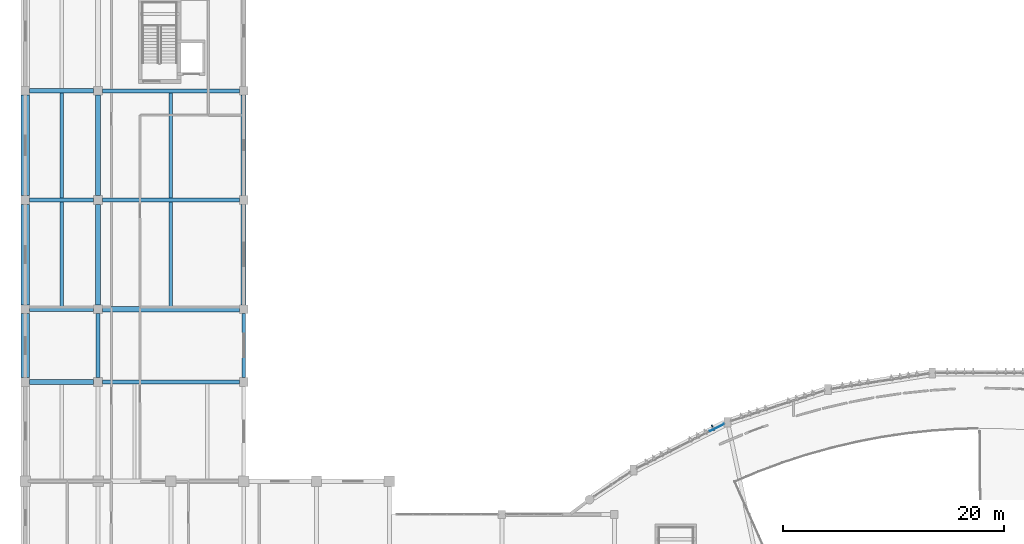
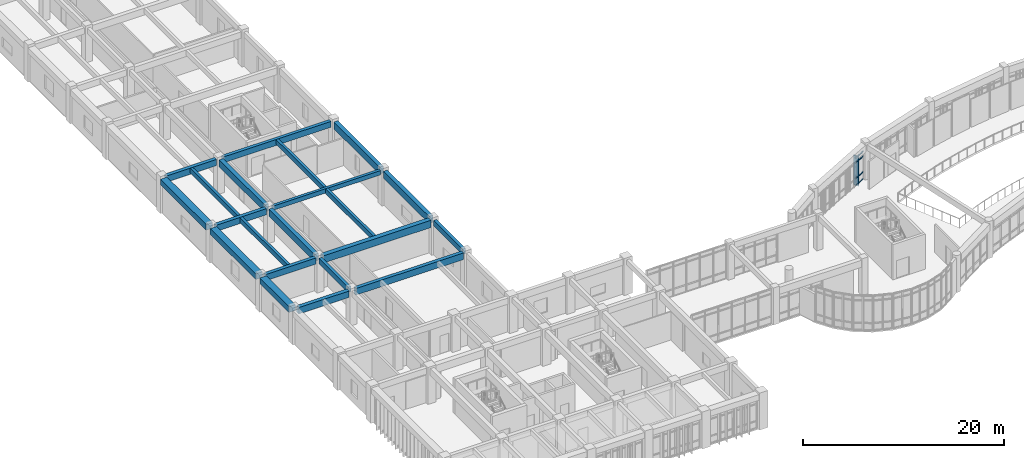
# One storey, part 11 of 57: 21 beams, 5 members, 1 element without a shape of its own.
"""IFC4 building model written with IfcOpenShell, lengths in metres."""

from ifc_helpers import new_model, si_unit, direction, frame, origin, origin_2d, place, context, subcontext, project, spatial, rectangle, extrude, material, layer, layer_set, material_profile, profile_set, type_object, element, aggregate, save


model = new_model("IFC4")

# Units and contexts
model_context = context("Model", 3, precision=1e-05, world=origin(), true_north=direction((0.0, 1.0)))
body_context = subcontext(model_context, "Body", "Model", "MODEL_VIEW")
ifc_project = project(units=[si_unit("LENGTHUNIT", "METRE"), si_unit("AREAUNIT", "SQUARE_METRE"), si_unit("VOLUMEUNIT", "CUBIC_METRE"), si_unit("PLANEANGLEUNIT", "RADIAN"), si_unit("MASSUNIT", "GRAM", prefix="KILO")], contexts=[model_context])

# Site, building, storey
site_placement = place(None, origin())
site = spatial("IfcSite", under=ifc_project, at=site_placement, CompositionType="ELEMENT")
building_placement = place(site_placement, origin())
building = spatial("IfcBuilding", under=site, at=building_placement, Name="Miralva Faculty of Natural Sciences", CompositionType="ELEMENT")
storey_placement = place(building_placement, frame((0.0, 0.0, 15.0)))
storey = spatial("IfcBuildingStorey", under=building, at=storey_placement, Name="L03", CompositionType="ELEMENT", Elevation=15.0)

# Beams
ifc_material_1 = material(Name="Concrete C40/50", Category="concrete")
ifc_material_profile_1 = material_profile(ifc_material_1, rectangle(XDim=0.449951171875, YDim=0.85009765625, at=origin_2d()), Name="RC 450x850")
ifc_profile_set_1 = profile_set([ifc_material_profile_1], Name="Concrete C40/50")
beam_type_1 = type_object("IfcBeamType", Name="BM-B01", PredefinedType="BEAM", material=ifc_profile_set_1)
for number, where, z_axis, x_axis, name in (
    (1, (9.60009765625, 46.0, 3.7548828125), (0.0, 1.0, 0.0), (-1.0, 0.0, 0.0), "Girder NS L03-80"),
    (2, (9.60009765625, 55.89990234375, 3.7548828125), (0.0, 1.0, 0.0), (-1.0, 0.0, 0.0), "Girder NS L03-81"),
    (3, (22.800048828125, 46.0, 3.7548828125), (0.0, 1.0, 0.0), (-1.0, 0.0, 0.0), "Girder NS L03-96"),
    (4, (22.800048828125, 55.89990234375, 3.7548828125), (0.0, 1.0, 0.0), (-1.0, 0.0, 0.0), "Girder NS L03-97"),
):
    element("IfcBeam", number, at=place(storey_placement, frame(where, z_axis=z_axis, x_axis=x_axis)), inside=storey, type_object=beam_type_1, Name=name, PredefinedType="BEAM", context=body_context, shape_type="SweptSolid", body=[
        extrude(rectangle(XDim=0.449951171875, YDim=0.85009765625, at=origin_2d()), origin(), (0.0, 0.0, 1.0), 9.10009765625),
    ])
ifc_material_profile_2 = material_profile(ifc_material_1, rectangle(XDim=0.39990234375, YDim=0.800048828125, at=origin_2d()), Name="RC 400x800")
ifc_profile_set_2 = profile_set([ifc_material_profile_2], Name="Concrete C40/50")
beam_type_2 = type_object("IfcBeamType", Name="BM-B02", PredefinedType="BEAM", material=ifc_profile_set_2)
beam_1_placement = place(storey_placement, frame((10.0, 39.0, 3.780029296875), z_axis=(1.0, 0.0, 0.0), x_axis=(0.0, 1.0, 0.0)))
element("IfcBeam", 5, at=beam_1_placement, inside=storey, type_object=beam_type_2, Name="Girder EW L03-32", PredefinedType="BEAM", context=body_context, shape_type="SweptSolid", body=[
    extrude(rectangle(XDim=0.39990234375, YDim=0.800048828125, at=origin_2d()), origin(), (0.0, 0.0, 1.0), 12.39990234375),
])
ifc_material_profile_3 = material_profile(ifc_material_1, rectangle(XDim=0.39990234375, YDim=0.75, at=origin_2d()), Name="RC 400x750")
ifc_profile_set_3 = profile_set([ifc_material_profile_3], Name="Concrete C40/50")
beam_type_3 = type_object("IfcBeamType", Name="BM-B03", PredefinedType="BEAM", material=ifc_profile_set_3)
for number, where, z_axis, x_axis, name in (
    (6, (3.39990234375, 45.60009765625, 3.804931640625), (1.0, 0.0, 0.0), (0.0, 1.0, 0.0), "Girder EW L03-36"),
    (7, (3.39990234375, 55.5, 3.804931640625), (1.0, 0.0, 0.0), (0.0, 1.0, 0.0), "Girder EW L03-40"),
    (8, (3.39990234375, 65.39990234375, 3.804931640625), (1.0, 0.0, 0.0), (0.0, 1.0, 0.0), "Girder EW L03-44"),
):
    element("IfcBeam", number, at=place(storey_placement, frame(where, z_axis=z_axis, x_axis=x_axis)), inside=storey, type_object=beam_type_3, Name=name, PredefinedType="BEAM", context=body_context, shape_type="SweptSolid", body=[
        extrude(rectangle(XDim=0.39990234375, YDim=0.75, at=origin_2d()), origin(), (0.0, 0.0, 1.0), 5.800048828125),
    ])
ifc_material_profile_4 = material_profile(ifc_material_1, rectangle(XDim=0.35009765625, YDim=0.64990234375, at=origin_2d()), Name="RC 350x650")
ifc_profile_set_4 = profile_set([ifc_material_profile_4], Name="Concrete C40/50")
beam_type_4 = type_object("IfcBeamType", Name="BM-B05", PredefinedType="BEAM", material=ifc_profile_set_4)
for number, where, z_axis, x_axis, name in (
    (9, (9.60009765625, 39.39990234375, 3.85498046875), (0.0, 1.0, 0.0), (-1.0, 0.0, 0.0), "Girder NS L03-79"),
    (10, (22.800048828125, 39.39990234375, 3.85498046875), (0.0, 1.0, 0.0), (-1.0, 0.0, 0.0), "Girder NS L03-95"),
):
    element("IfcBeam", number, at=place(storey_placement, frame(where, z_axis=z_axis, x_axis=x_axis)), inside=storey, type_object=beam_type_4, Name=name, PredefinedType="BEAM", context=body_context, shape_type="SweptSolid", body=[
        extrude(rectangle(XDim=0.35009765625, YDim=0.64990234375, at=origin_2d()), origin(), (0.0, 0.0, 1.0), 5.800048828125),
    ])
ifc_material_profile_5 = material_profile(ifc_material_1, rectangle(XDim=0.320068359375, YDim=0.52001953125, at=origin_2d()), Name="RC 320x520")
ifc_profile_set_5 = profile_set([ifc_material_profile_5], Name="Concrete C40/50")
beam_type_5 = type_object("IfcBeamType", Name="BM-BG01", PredefinedType="BEAM", material=ifc_profile_set_5)
beam_2_placement = place(storey_placement, frame((10.0, 55.5, 3.919921875), z_axis=(1.0, 0.0, 0.0), x_axis=(0.0, 1.0, 0.0)))
element("IfcBeam", 11, at=beam_2_placement, inside=storey, type_object=beam_type_5, Name="Girder EW L03-41", PredefinedType="BEAM", context=body_context, shape_type="SweptSolid", body=[
    extrude(rectangle(XDim=0.320068359375, YDim=0.52001953125, at=origin_2d()), origin(), (0.0, 0.0, 1.0), 12.39990234375),
])
ifc_material_profile_6 = material_profile(ifc_material_1, rectangle(XDim=0.360107421875, YDim=0.719970703125, at=origin_2d()), Name="RC 360x720")
ifc_profile_set_6 = profile_set([ifc_material_profile_6], Name="Concrete C40/50")
beam_type_6 = type_object("IfcBeamType", Name="BM-BG05", PredefinedType="BEAM", material=ifc_profile_set_6)
beam_3_placement = place(storey_placement, frame((10.0, 65.39990234375, 3.820068359375), z_axis=(1.0, 0.0, 0.0), x_axis=(0.0, 1.0, 0.0)))
element("IfcBeam", 12, at=beam_3_placement, inside=storey, type_object=beam_type_6, Name="Girder EW L03-45", PredefinedType="BEAM", context=body_context, shape_type="SweptSolid", body=[
    extrude(rectangle(XDim=0.360107421875, YDim=0.719970703125, at=origin_2d()), origin(), (0.0, 0.0, 1.0), 12.39990234375),
])
ifc_material_profile_7 = material_profile(ifc_material_1, rectangle(XDim=0.43994140625, YDim=0.780029296875, at=origin_2d()), Name="RC 440x780")
ifc_profile_set_7 = profile_set([ifc_material_profile_7], Name="Concrete C40/50")
beam_type_7 = type_object("IfcBeamType", Name="BM-BG13", PredefinedType="BEAM", material=ifc_profile_set_7)
beam_4_placement = place(storey_placement, frame((3.39990234375, 39.0, 3.7900390625), z_axis=(1.0, 0.0, 0.0), x_axis=(0.0, 1.0, 0.0)))
element("IfcBeam", 13, at=beam_4_placement, inside=storey, type_object=beam_type_7, Name="Girder EW L03-31", PredefinedType="BEAM", context=body_context, shape_type="SweptSolid", body=[
    extrude(rectangle(XDim=0.43994140625, YDim=0.780029296875, at=origin_2d()), origin(), (0.0, 0.0, 1.0), 5.800048828125),
])
ifc_material_profile_8 = material_profile(ifc_material_1, rectangle(XDim=0.52001953125, YDim=0.8798828125, at=origin_2d()), Name="RC 520x880")
ifc_profile_set_8 = profile_set([ifc_material_profile_8], Name="Concrete C40/50")
beam_type_8 = type_object("IfcBeamType", Name="BM-BG19", PredefinedType="BEAM", material=ifc_profile_set_8)
beam_5_placement = place(storey_placement, frame((10.0, 45.60009765625, 3.739990234375), z_axis=(1.0, 0.0, 0.0), x_axis=(0.0, 1.0, 0.0)))
element("IfcBeam", 14, at=beam_5_placement, inside=storey, type_object=beam_type_8, Name="Girder EW L03-37", PredefinedType="BEAM", context=body_context, shape_type="SweptSolid", body=[
    extrude(rectangle(XDim=0.52001953125, YDim=0.8798828125, at=origin_2d()), origin(), (0.0, 0.0, 1.0), 12.39990234375),
])
ifc_material_profile_9 = material_profile(ifc_material_1, rectangle(XDim=0.300048828125, YDim=0.60009765625, at=origin_2d()), Name="RC 300x600")
ifc_profile_set_9 = profile_set([ifc_material_profile_9], Name="Concrete C40/50")
beam_type_9 = type_object("IfcBeamType", Name="BM-J01", PredefinedType="JOIST", material=ifc_profile_set_9)
beam_6_placement = place(storey_placement, frame((6.300048828125, 45.800048828125, 3.8798828125), z_axis=(0.0, 1.0, 0.0), x_axis=(-1.0, 0.0, 0.0)))
element("IfcBeam", 15, at=beam_6_placement, inside=storey, type_object=beam_type_9, Name="Floor joist L03-11", PredefinedType="JOIST", context=body_context, shape_type="SweptSolid", body=[
    extrude(rectangle(XDim=0.300048828125, YDim=0.60009765625, at=origin_2d()), origin(), (0.0, 0.0, 1.0), 9.5),
])
beam_7_placement = place(storey_placement, frame((16.199951171875, 45.860107421875, 3.8798828125), z_axis=(0.0, 1.0, 0.0), x_axis=(-1.0, 0.0, 0.0)))
element("IfcBeam", 16, at=beam_7_placement, inside=storey, type_object=beam_type_9, Name="Floor joist L03-12", PredefinedType="JOIST", context=body_context, shape_type="SweptSolid", body=[
    extrude(rectangle(XDim=0.300048828125, YDim=0.60009765625, at=origin_2d()), origin(), (0.0, 0.0, 1.0), 9.47998046875),
])
beam_8_placement = place(storey_placement, frame((6.300048828125, 55.699951171875, 3.8798828125), z_axis=(0.0, 1.0, 0.0), x_axis=(-1.0, 0.0, 0.0)))
element("IfcBeam", 17, at=beam_8_placement, inside=storey, type_object=beam_type_9, Name="Floor joist L03-15", PredefinedType="JOIST", context=body_context, shape_type="SweptSolid", body=[
    extrude(rectangle(XDim=0.300048828125, YDim=0.60009765625, at=origin_2d()), origin(), (0.0, 0.0, 1.0), 9.5),
])
beam_9_placement = place(storey_placement, frame((16.199951171875, 55.659912109375, 3.8798828125), z_axis=(0.0, 1.0, 0.0), x_axis=(-1.0, 0.0, 0.0)))
element("IfcBeam", 18, at=beam_9_placement, inside=storey, type_object=beam_type_9, Name="Floor joist L03-16", PredefinedType="JOIST", context=body_context, shape_type="SweptSolid", body=[
    extrude(rectangle(XDim=0.300048828125, YDim=0.60009765625, at=origin_2d()), origin(), (0.0, 0.0, 1.0), 9.56005859375),
])
ifc_material_profile_10 = material_profile(ifc_material_1, rectangle(XDim=0.75, YDim=0.699951171875, at=origin_2d()), Name="RC 750x700")
ifc_profile_set_10 = profile_set([ifc_material_profile_10], Name="Concrete C40/50")
beam_type_10 = type_object("IfcBeamType", Name="BM-SP01", PredefinedType="SPANDREL", material=ifc_profile_set_10)
beam_10_placement = place(storey_placement, frame((3.0, 39.39990234375, 3.830078125), z_axis=(0.0, 1.0, 0.0), x_axis=(-1.0, 0.0, 0.0)))
element("IfcBeam", 19, at=beam_10_placement, inside=storey, type_object=beam_type_10, Name="Girder NS L03-66", PredefinedType="SPANDREL", context=body_context, shape_type="SweptSolid", body=[
    extrude(rectangle(XDim=0.75, YDim=0.699951171875, at=origin_2d()), origin(), (0.0, 0.0, 1.0), 5.800048828125),
])
for number, where, z_axis, x_axis, name in (
    (20, (3.0, 46.0, 3.830078125), (0.0, 1.0, 0.0), (-1.0, 0.0, 0.0), "Girder NS L03-67"),
    (21, (3.0, 55.89990234375, 3.830078125), (0.0, 1.0, 0.0), (-1.0, 0.0, 0.0), "Girder NS L03-68"),
):
    element("IfcBeam", number, at=place(storey_placement, frame(where, z_axis=z_axis, x_axis=x_axis)), inside=storey, type_object=beam_type_10, Name=name, PredefinedType="SPANDREL", context=body_context, shape_type="SweptSolid", body=[
        extrude(rectangle(XDim=0.75, YDim=0.699951171875, at=origin_2d()), origin(), (0.0, 0.0, 1.0), 9.10009765625),
    ])

# Curtain wall, members
ifc_material_2 = material(Name="Laminated solar-control glass", Category="glass")
ifc_layer = layer(ifc_material_2, 0.179931640625, Name="CW-ARC-L03")
ifc_layer_set = layer_set([ifc_layer], Name="Laminated solar-control glass")
curtain_wall_type = type_object("IfcCurtainWallType", Name="CW-ARC-L03", PredefinedType="USERDEFINED", material=ifc_layer_set)
curtain_wall_placement = place(storey_placement, origin())
curtain_wall = element("IfcCurtainWall", 22, at=curtain_wall_placement, inside=storey, type_object=curtain_wall_type, Name="Curtain wall CW-03 L03-128", ObjectType="UNITISED CURTAIN WALL", PredefinedType="USERDEFINED")
ifc_material_3 = material(Name="Anodised aluminium", Category="aluminium")
ifc_material_profile_11 = material_profile(ifc_material_3, rectangle(XDim=0.06005859375, YDim=0.1201171875, at=origin_2d()), Name="TRANSOM 60x120")
ifc_profile_set_11 = profile_set([ifc_material_profile_11], Name="Anodised aluminium")
member_type_1 = type_object("IfcMemberType", Name="CW-T02", PredefinedType="USERDEFINED", material=ifc_profile_set_11)
member_1_placement = place(storey_placement, frame((65.0751953125, 34.551025390625, 0.030029296875), z_axis=(0.891004754487, 0.453993972958, 0.0), x_axis=(-0.453993972958, 0.891004754487, 0.0)))
member_1 = element("IfcMember", 23, at=member_1_placement, type_object=member_type_1, Name="CW-03 transom 3.1", ObjectType="TRANSOM", PredefinedType="USERDEFINED", context=body_context, shape_type="SweptSolid", body=[
    extrude(rectangle(XDim=0.06005859375, YDim=0.1201171875, at=origin_2d()), origin(), (0.0, 0.0, 1.0), 1.39453125),
])
member_2_placement = place(storey_placement, frame((65.0751953125, 34.551025390625, 0.89990234375), z_axis=(0.891004754487, 0.453993972958, 0.0), x_axis=(-0.453993972958, 0.891004754487, 0.0)))
member_2 = element("IfcMember", 24, at=member_2_placement, type_object=member_type_1, Name="CW-03 transom 3.2", ObjectType="TRANSOM", PredefinedType="USERDEFINED", context=body_context, shape_type="SweptSolid", body=[
    extrude(rectangle(XDim=0.06005859375, YDim=0.1201171875, at=origin_2d()), origin(), (0.0, 0.0, 1.0), 1.39453125),
])
member_3_placement = place(storey_placement, frame((65.0751953125, 34.551025390625, 2.804931640625), z_axis=(0.891004754487, 0.453993972958, 0.0), x_axis=(-0.453993972958, 0.891004754487, 0.0)))
member_3 = element("IfcMember", 25, at=member_3_placement, type_object=member_type_1, Name="CW-03 transom 3.3", ObjectType="TRANSOM", PredefinedType="USERDEFINED", context=body_context, shape_type="SweptSolid", body=[
    extrude(rectangle(XDim=0.06005859375, YDim=0.1201171875, at=origin_2d()), origin(), (0.0, 0.0, 1.0), 1.39453125),
])
member_4_placement = place(storey_placement, frame((65.0751953125, 34.551025390625, 3.375), z_axis=(0.891004754487, 0.453993972958, 0.0), x_axis=(-0.453993972958, 0.891004754487, 0.0)))
member_4 = element("IfcMember", 26, at=member_4_placement, type_object=member_type_1, Name="CW-03 transom 3.4", ObjectType="TRANSOM", PredefinedType="USERDEFINED", context=body_context, shape_type="SweptSolid", body=[
    extrude(rectangle(XDim=0.06005859375, YDim=0.1201171875, at=origin_2d()), origin(), (0.0, 0.0, 1.0), 1.39453125),
])
aggregate(curtain_wall, [member_1, member_2, member_3, member_4])

# Member
ifc_material_profile_12 = material_profile(ifc_material_3, rectangle(XDim=0.080078125, YDim=0.550048828125, at=origin_2d()), Name="FIN 550x80")
ifc_profile_set_12 = profile_set([ifc_material_profile_12], Name="Anodised aluminium")
member_type_2 = type_object("IfcMemberType", Name="MEM-SF01", PredefinedType="USERDEFINED", material=ifc_profile_set_12)
member_5_placement = place(storey_placement, frame((65.336669921875, 34.86376953125, -0.239990234375), z_axis=(0.0, 0.0, 1.0), x_axis=(-0.891006524188, -0.45399049974, 0.0)))
element("IfcMember", 27, at=member_5_placement, inside=storey, type_object=member_type_2, Name="Solar shading fin SF-01 L03-92", ObjectType="SUNSHADE", PredefinedType="USERDEFINED", context=body_context, shape_type="SweptSolid", body=[
    extrude(rectangle(XDim=0.080078125, YDim=0.550048828125, at=origin_2d()), origin(), (0.0, 0.0, 1.0), 3.64501953125),
])

save(model, "model.ifc")
